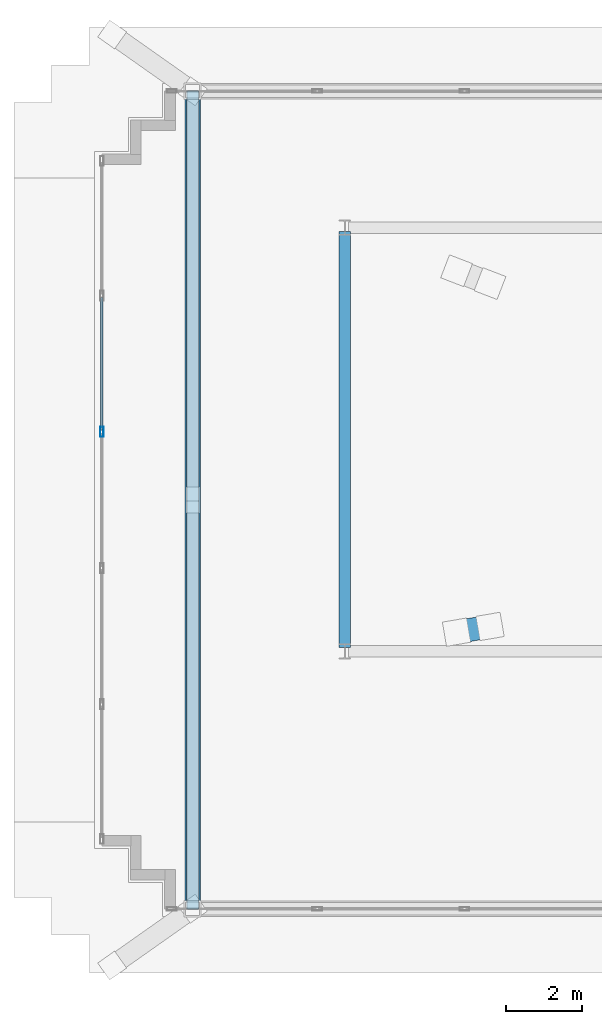
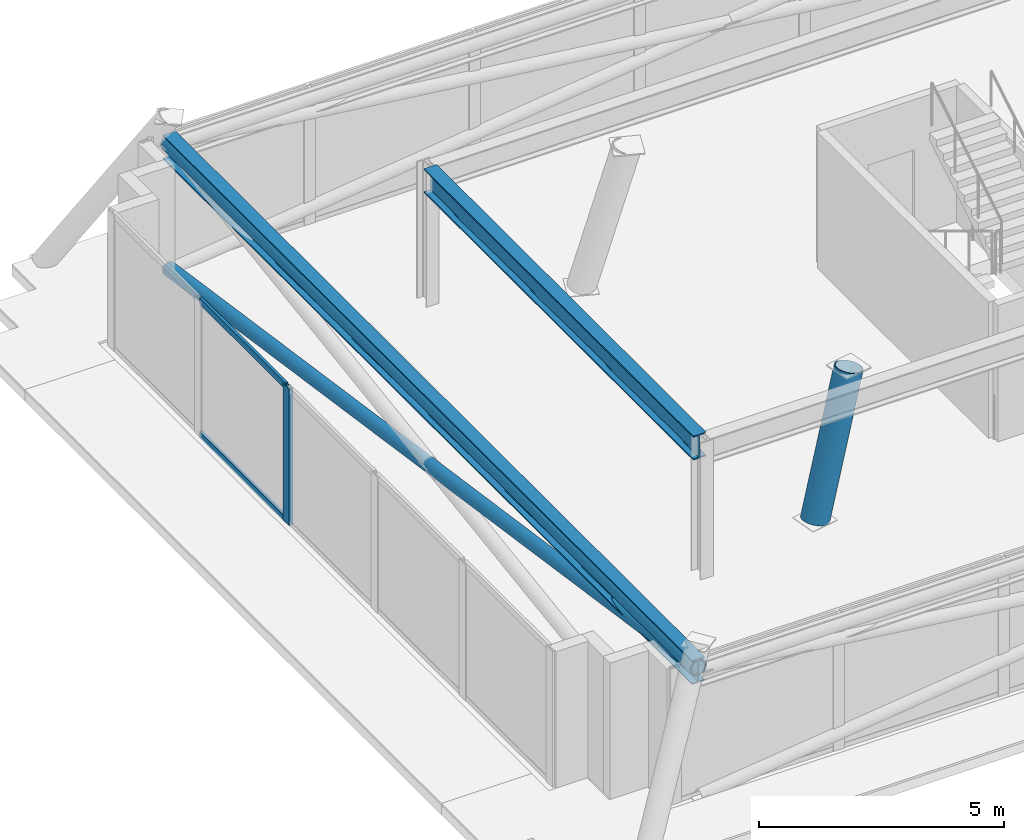
# One storey, part 3 of 15: 6 members, 2 beams, 1 element without a shape of its own.
"""IFC4 building model written with IfcOpenShell, lengths in metres."""

from ifc_helpers import new_model, si_unit, direction, frame, origin, origin_2d, place, context, subcontext, project, spatial, hollow_rectangle, hollow_circle, i_section, extrude, material, layer, layer_set, material_profile, profile_set, type_object, element, aggregate, save


model = new_model("IFC4")

# Units and contexts
model_context = context("Model", 3, precision=1e-05, world=origin(), true_north=direction((0.0, 1.0)))
body_context = subcontext(model_context, "Body", "Model", "MODEL_VIEW")
ifc_project = project(units=[si_unit("LENGTHUNIT", "METRE"), si_unit("AREAUNIT", "SQUARE_METRE"), si_unit("VOLUMEUNIT", "CUBIC_METRE"), si_unit("PLANEANGLEUNIT", "RADIAN"), si_unit("MASSUNIT", "GRAM", prefix="KILO")], contexts=[model_context])

# Site, building, storey
site_placement = place(None, origin())
site = spatial("IfcSite", under=ifc_project, at=site_placement, CompositionType="ELEMENT")
building_placement = place(site_placement, origin())
building = spatial("IfcBuilding", under=site, at=building_placement, Name="Qobustan Lattice House", CompositionType="ELEMENT")
storey_placement = place(building_placement, frame((0.0, 0.0, 281.60009765625)))
storey = spatial("IfcBuildingStorey", under=building, at=storey_placement, Name="L79", CompositionType="ELEMENT", Elevation=281.60009765625)

# Beams
ifc_material_1 = material(Name="Steel S355", Category="steel")
ifc_material_profile_1 = material_profile(ifc_material_1, i_section(OverallWidth=0.300048828125, OverallDepth=0.60009765625, WebThickness=0.015380859375, FlangeThickness=0.030029296875, FilletRadius=0.027099609375, at=origin_2d()), Name="HEB600")
ifc_profile_set_1 = profile_set([ifc_material_profile_1], Name="Steel S355")
beam_type = type_object("IfcBeamType", Name="BM-POD-HEB600", PredefinedType="USERDEFINED", material=ifc_profile_set_1)
beam_1_placement = place(storey_placement, frame((-9.199951171875, 5.5, 3.099853515625), z_axis=(0.0, -1.0, 0.0), x_axis=(1.0, 0.0, 0.0)))
element("IfcBeam", 1, at=beam_1_placement, inside=storey, type_object=beam_type, Name="L79 crown support ring girder 4", ObjectType="GIRDER", PredefinedType="USERDEFINED", context=body_context, shape_type="SweptSolid", body=[
    extrude(i_section(OverallWidth=0.300048828125, OverallDepth=0.60009765625, WebThickness=0.015380859375, FlangeThickness=0.030029296875, FilletRadius=0.027099609375, at=origin_2d()), origin(), (0.0, 0.0, 1.0), 11.0),
])
beam_2_placement = place(storey_placement, frame((-13.219970703125, 9.205078125, 3.099853515625), z_axis=(0.0, -1.0, 0.0), x_axis=(1.0, 0.0, 0.0)))
element("IfcBeam", 2, at=beam_2_placement, inside=storey, type_object=beam_type, Name="L79 crown perimeter ring beam 4", ObjectType="GIRDER", PredefinedType="USERDEFINED", context=body_context, shape_type="SweptSolid", body=[
    extrude(i_section(OverallWidth=0.300048828125, OverallDepth=0.60009765625, WebThickness=0.015380859375, FlangeThickness=0.030029296875, FilletRadius=0.027099609375, at=origin_2d()), origin(), (0.0, 0.0, 1.0), 21.610107421875),
])

# Curtain wall, members
ifc_material_2 = material(Name="Anodised aluminium and low-E glazing", Category="aluminium")
ifc_layer = layer(ifc_material_2, 0.219970703125)
ifc_layer_set = layer_set([ifc_layer], Name="Anodised aluminium and low-E glazing")
curtain_wall_type = type_object("IfcCurtainWallType", Name="CW-CRN-01", PredefinedType="USERDEFINED", material=ifc_layer_set)
curtain_wall_placement = place(storey_placement, origin())
curtain_wall = element("IfcCurtainWall", 3, at=curtain_wall_placement, inside=storey, type_object=curtain_wall_type, Name="L79 glass-point crown faceted curtain wall 5", ObjectType="CURTAIN WALL", PredefinedType="USERDEFINED")
ifc_material_3 = material(Name="Anodised aluminium EN AW-6063 T6", Category="aluminium")
ifc_material_profile_2 = material_profile(ifc_material_3, hollow_rectangle(XDim=0.090087890625, YDim=0.260009765625, WallThickness=0.006103515625, at=origin_2d()), Name="CWM-CROWN-260x90")
ifc_profile_set_2 = profile_set([ifc_material_profile_2], Name="Anodised aluminium EN AW-6063 T6")
member_type_1 = type_object("IfcMemberType", Name="CWM-CRN-260", PredefinedType="MULLION", material=ifc_profile_set_2)
member_1_placement = place(storey_placement, frame((-15.6201171875, 0.200927734375, 0.0), z_axis=(0.0, 0.0, 1.0), x_axis=(-1.0, 0.0, 0.0)))
member_1 = element("IfcMember", 4, at=member_1_placement, type_object=member_type_1, Name="CW-CR mullion 4", PredefinedType="MULLION", context=body_context, shape_type="SweptSolid", body=[
    extrude(hollow_rectangle(XDim=0.090087890625, YDim=0.260009765625, WallThickness=0.006103515625, at=origin_2d()), origin(), (0.0, 0.0, 1.0), 3.39990234375),
])
ifc_material_4 = material(Name="Anodised aluminium EN AW-6063 T6", Category="aluminium")
ifc_material_profile_3 = material_profile(ifc_material_4, hollow_rectangle(XDim=0.06494140625, YDim=0.159912109375, WallThickness=0.00390625, at=origin_2d()), Name="CWT-160x65")
ifc_profile_set_3 = profile_set([ifc_material_profile_3], Name="Anodised aluminium EN AW-6063 T6")
member_type_2 = type_object("IfcMemberType", Name="CWT-HOR-160", PredefinedType="USERDEFINED", material=ifc_profile_set_3)
member_2_placement = place(storey_placement, frame((-15.6201171875, 0.24609375, 0.032470703125), z_axis=(0.0, 1.0, 0.0), x_axis=(-1.0, 0.0, 0.0)))
member_2 = element("IfcMember", 5, at=member_2_placement, type_object=member_type_2, Name="CW-CR transom 4.1", ObjectType="TRANSOM", PredefinedType="USERDEFINED", context=body_context, shape_type="SweptSolid", body=[
    extrude(hollow_rectangle(XDim=0.06494140625, YDim=0.159912109375, WallThickness=0.00390625, at=origin_2d()), origin(), (0.0, 0.0, 1.0), 3.511962890625),
])
member_3_placement = place(storey_placement, frame((-15.6201171875, 0.24609375, 3.367431640625), z_axis=(0.0, 1.0, 0.0), x_axis=(-1.0, 0.0, 0.0)))
member_3 = element("IfcMember", 6, at=member_3_placement, type_object=member_type_2, Name="CW-CR transom 4.2", ObjectType="TRANSOM", PredefinedType="USERDEFINED", context=body_context, shape_type="SweptSolid", body=[
    extrude(hollow_rectangle(XDim=0.06494140625, YDim=0.159912109375, WallThickness=0.00390625, at=origin_2d()), origin(), (0.0, 0.0, 1.0), 3.511962890625),
])
aggregate(curtain_wall, [member_1, member_2, member_3])

# Members
ifc_material_5 = material(Name="Steel S355", Category="steel")
ifc_material_profile_4 = material_profile(ifc_material_5, hollow_circle(Radius=0.161865234375, WallThickness=0.012451171875, at=origin_2d()), Name="CHS323.9x12.5")
ifc_profile_set_4 = profile_set([ifc_material_profile_4], Name="Steel S355")
member_type_3 = type_object("IfcMemberType", Name="MEM-CBR-CHS324", PredefinedType="BRACE", material=ifc_profile_set_4)
member_4_placement = place(storey_placement, frame((-13.219970703125, 9.205078125, 0.014892578125), z_axis=(0.0, -0.989444104411, 0.144915024228), x_axis=(1.0, 0.0, 0.0)))
element("IfcMember", 7, at=member_4_placement, inside=storey, type_object=member_type_3, Name="L79 crown diagrid continuous brace 4A", PredefinedType="BRACE", context=body_context, shape_type="SweptSolid", body=[
    extrude(hollow_circle(Radius=0.161865234375, WallThickness=0.012451171875, at=origin_2d()), origin(), (0.0, 0.0, 1.0), 21.840576171875),
])
ifc_material_6 = material(Name="Steel S355", Category="steel")
ifc_material_profile_5 = material_profile(ifc_material_6, hollow_circle(Radius=0.203125, WallThickness=0.01611328125, at=origin_2d()), Name="CHS406.4x16")
ifc_profile_set_5 = profile_set([ifc_material_profile_5], Name="Steel S355")
member_type_4 = type_object("IfcMemberType", Name="MEM-RNG-CHS406", PredefinedType="CHORD", material=ifc_profile_set_5)
member_5_placement = place(storey_placement, frame((-13.219970703125, 9.205078125, 3.179931640625), z_axis=(0.0, -1.0, 0.0), x_axis=(1.0, 0.0, 0.0)))
element("IfcMember", 8, at=member_5_placement, inside=storey, type_object=member_type_4, Name="L79 crown ring chord 4", PredefinedType="CHORD", context=body_context, shape_type="SweptSolid", body=[
    extrude(hollow_circle(Radius=0.203125, WallThickness=0.01611328125, at=origin_2d()), origin(), (0.0, 0.0, 1.0), 21.610107421875),
])
ifc_material_7 = material(Name="Steel S355", Category="steel")
ifc_material_profile_6 = material_profile(ifc_material_7, hollow_circle(Radius=0.304931640625, WallThickness=0.02490234375, at=origin_2d()), Name="CHS610x25")
ifc_profile_set_6 = profile_set([ifc_material_profile_6], Name="Steel S355")
member_type_5 = type_object("IfcMemberType", Name="MEM-SPR-CHS610", PredefinedType="USERDEFINED", material=ifc_profile_set_6)
member_6_placement = place(storey_placement, frame((-6.244384765625, -5.09326171875, 0.0), z_axis=(0.250701253102, 0.042987278579, 0.967109598532), x_axis=(-0.169001704881, 0.985615758674, 0.0)))
element("IfcMember", 9, at=member_6_placement, inside=storey, type_object=member_type_5, Name="L79 crown spire leg SL1", ObjectType="CROWN FRAME", PredefinedType="USERDEFINED", context=body_context, shape_type="SweptSolid", body=[
    extrude(hollow_circle(Radius=0.304931640625, WallThickness=0.02490234375, at=origin_2d()), origin(), (0.0, 0.0, 1.0), 3.515625),
])

save(model, "model.ifc")
